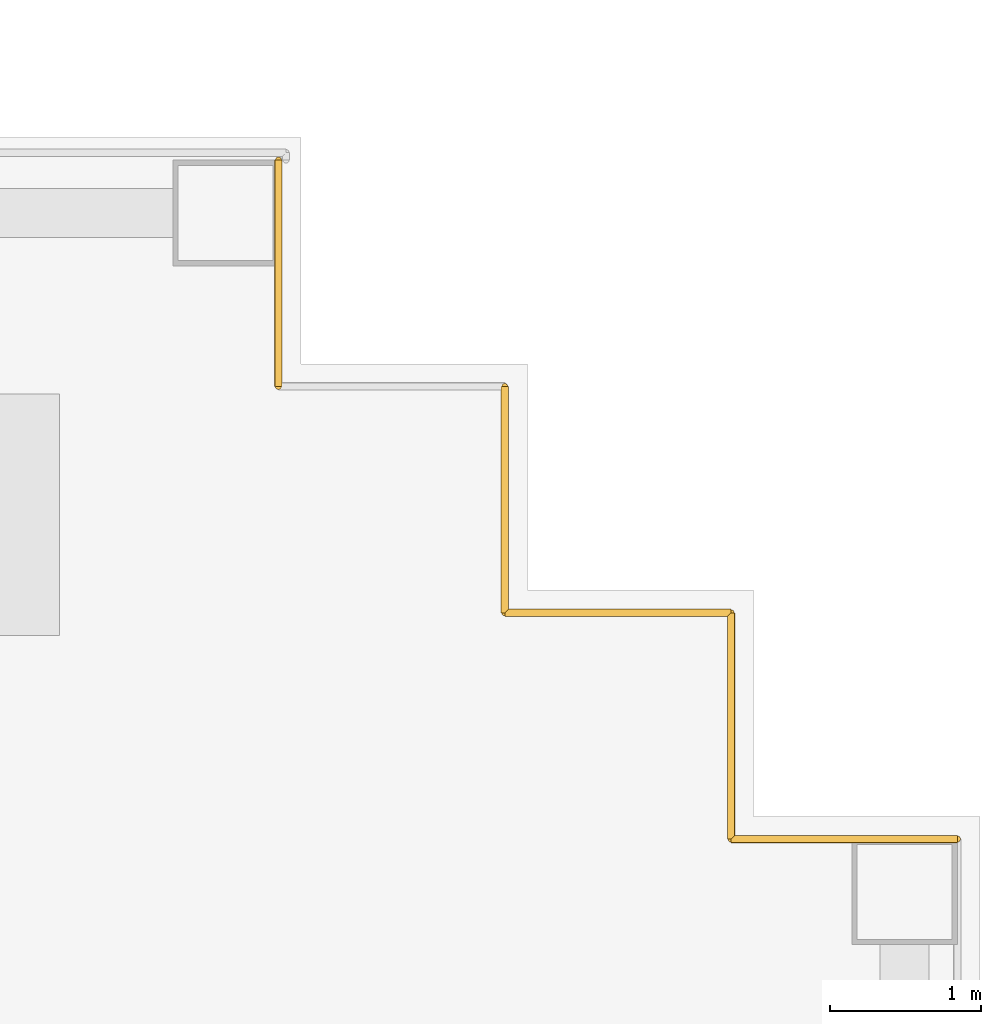
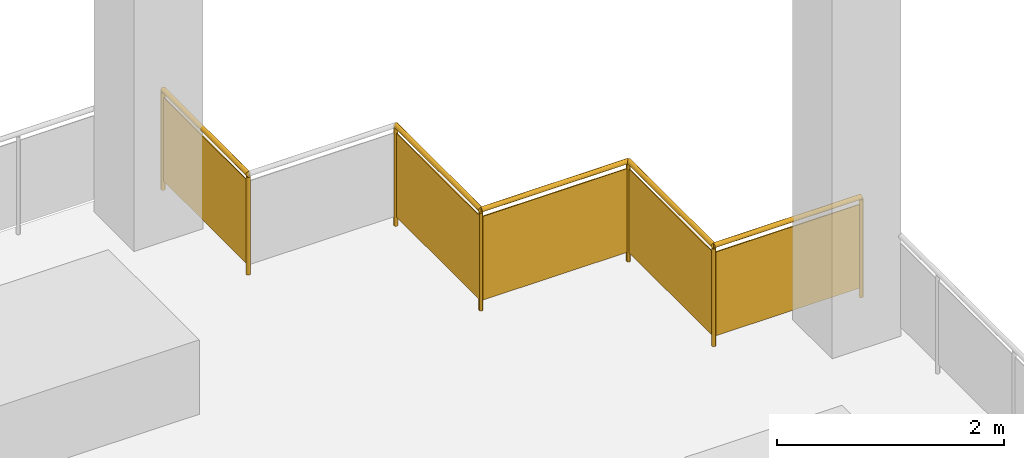
# One storey, part 9 of 9: 5 railings.
"""IFC4 building model written with IfcOpenShell, lengths in metres."""

from ifc_helpers import new_model, si_unit, direction, frame, origin, origin_2d, place, context, subcontext, project, spatial, rectangle, circle, extrude, material, type_object, element, save


model = new_model("IFC4")

# Units and contexts
model_context = context("Model", 3, precision=1e-05, world=origin(), true_north=direction((0.0, 1.0)))
body_context = subcontext(model_context, "Body", "Model", "MODEL_VIEW")
ifc_project = project(units=[si_unit("LENGTHUNIT", "METRE"), si_unit("AREAUNIT", "SQUARE_METRE"), si_unit("VOLUMEUNIT", "CUBIC_METRE"), si_unit("PLANEANGLEUNIT", "RADIAN"), si_unit("MASSUNIT", "GRAM", prefix="KILO")], contexts=[model_context])

# Site, building, storey
site_placement = place(None, origin())
site = spatial("IfcSite", under=ifc_project, at=site_placement, CompositionType="ELEMENT")
building_placement = place(site_placement, origin())
building = spatial("IfcBuilding", under=site, at=building_placement, Name="Vidyagriha Tower", CompositionType="ELEMENT")
storey_placement = place(building_placement, frame((0.0, 0.0, 194.10009765625)))
storey = spatial("IfcBuildingStorey", under=building, at=storey_placement, Name="L51", CompositionType="ELEMENT", Elevation=194.10009765625)

# Railings
ifc_material = material(Name="Steel ASTM A500 Grade C black painted", Category="steel")
railing_type = type_object("IfcRailingType", Name="Wind floor guard 1100", PredefinedType="GUARDRAIL", material=ifc_material)
for number, where, name in (
    (1, (33.35009765625, 19.85009765625, 0.0), "Wind floor guard L51 1"),
    (2, (34.85009765625, 18.35009765625, 0.0), "Wind floor guard L51 3"),
):
    element("IfcRailing", number, at=place(storey_placement, frame(where)), inside=storey, type_object=railing_type, Name=name, PredefinedType="GUARDRAIL", context=body_context, shape_type="SweptSolid", body=[
        extrude(circle(Radius=0.02490234375, at=origin_2d()), frame((0.0, 0.0, 1.0751953125), z_axis=(0.0, -1.0, 0.0), x_axis=(1.0, 0.0, 0.0)), (0.0, 0.0, 1.0), 1.5),
        extrude(circle(Radius=0.02001953125, at=origin_2d()), origin(), (0.0, 0.0, 1.0), 1.050048828125),
        extrude(circle(Radius=0.02001953125, at=origin_2d()), frame((0.0, -1.5, 0.0)), (0.0, 0.0, 1.0), 1.050048828125),
        extrude(rectangle(XDim=0.010009765625, YDim=0.900146484375, at=origin_2d()), frame((0.0, 0.0, 0.550048828125), z_axis=(0.0, -1.0, 0.0), x_axis=(1.0, 0.0, 0.0)), (0.0, 0.0, 1.0), 1.5),
    ])
railing_1_placement = place(storey_placement, frame((34.85009765625, 16.85009765625, 0.0)))
element("IfcRailing", 3, at=railing_1_placement, inside=storey, type_object=railing_type, Name="Wind floor guard L51 4", PredefinedType="GUARDRAIL", context=body_context, shape_type="SweptSolid", body=[
    extrude(circle(Radius=0.02490234375, at=origin_2d()), frame((0.0, 0.0, 1.0751953125), z_axis=(1.0, 0.0, 0.0), x_axis=(0.0, 1.0, 0.0)), (0.0, 0.0, 1.0), 1.5),
    extrude(circle(Radius=0.02001953125, at=origin_2d()), origin(), (0.0, 0.0, 1.0), 1.050048828125),
    extrude(circle(Radius=0.02001953125, at=origin_2d()), frame((1.5, 0.0, 0.0)), (0.0, 0.0, 1.0), 1.050048828125),
    extrude(rectangle(XDim=0.010009765625, YDim=0.900146484375, at=origin_2d()), frame((0.0, 0.0, 0.550048828125), z_axis=(1.0, 0.0, 0.0), x_axis=(0.0, 1.0, 0.0)), (0.0, 0.0, 1.0), 1.5),
])
railing_2_placement = place(storey_placement, frame((36.35009765625, 16.85009765625, 0.0)))
element("IfcRailing", 4, at=railing_2_placement, inside=storey, type_object=railing_type, Name="Wind floor guard L51 5", PredefinedType="GUARDRAIL", context=body_context, shape_type="SweptSolid", body=[
    extrude(circle(Radius=0.02490234375, at=origin_2d()), frame((0.0, 0.0, 1.0751953125), z_axis=(0.0, -1.0, 0.0), x_axis=(1.0, 0.0, 0.0)), (0.0, 0.0, 1.0), 1.5),
    extrude(circle(Radius=0.02001953125, at=origin_2d()), origin(), (0.0, 0.0, 1.0), 1.050048828125),
    extrude(circle(Radius=0.02001953125, at=origin_2d()), frame((0.0, -1.5, 0.0)), (0.0, 0.0, 1.0), 1.050048828125),
    extrude(rectangle(XDim=0.010009765625, YDim=0.900146484375, at=origin_2d()), frame((0.0, 0.0, 0.550048828125), z_axis=(0.0, -1.0, 0.0), x_axis=(1.0, 0.0, 0.0)), (0.0, 0.0, 1.0), 1.5),
])
railing_3_placement = place(storey_placement, frame((36.35009765625, 15.35009765625, 0.0)))
element("IfcRailing", 5, at=railing_3_placement, inside=storey, type_object=railing_type, Name="Wind floor guard L51 6", PredefinedType="GUARDRAIL", context=body_context, shape_type="SweptSolid", body=[
    extrude(circle(Radius=0.02490234375, at=origin_2d()), frame((0.0, 0.0, 1.0751953125), z_axis=(1.0, 0.0, 0.0), x_axis=(0.0, 1.0, 0.0)), (0.0, 0.0, 1.0), 1.5),
    extrude(circle(Radius=0.02001953125, at=origin_2d()), origin(), (0.0, 0.0, 1.0), 1.050048828125),
    extrude(circle(Radius=0.02001953125, at=origin_2d()), frame((1.5, 0.0, 0.0)), (0.0, 0.0, 1.0), 1.050048828125),
    extrude(rectangle(XDim=0.010009765625, YDim=0.900146484375, at=origin_2d()), frame((0.0, 0.0, 0.550048828125), z_axis=(1.0, 0.0, 0.0), x_axis=(0.0, 1.0, 0.0)), (0.0, 0.0, 1.0), 1.5),
])

save(model, "model.ifc")
